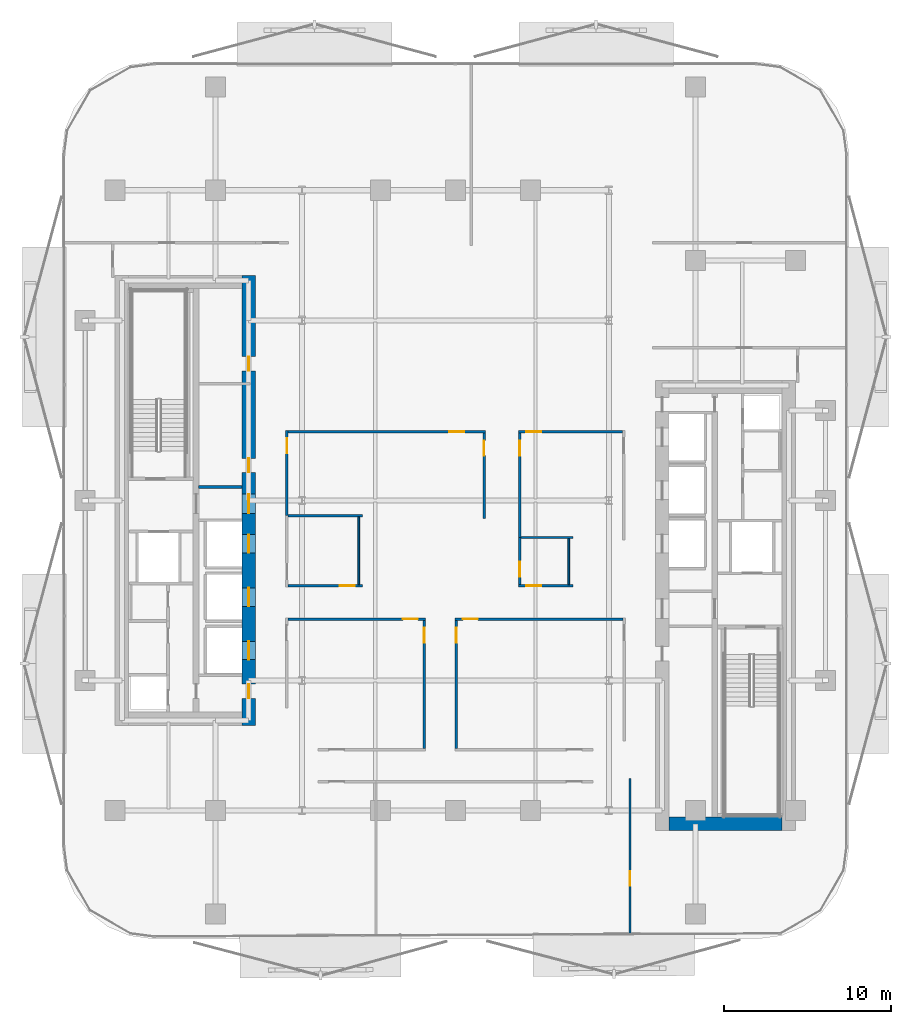
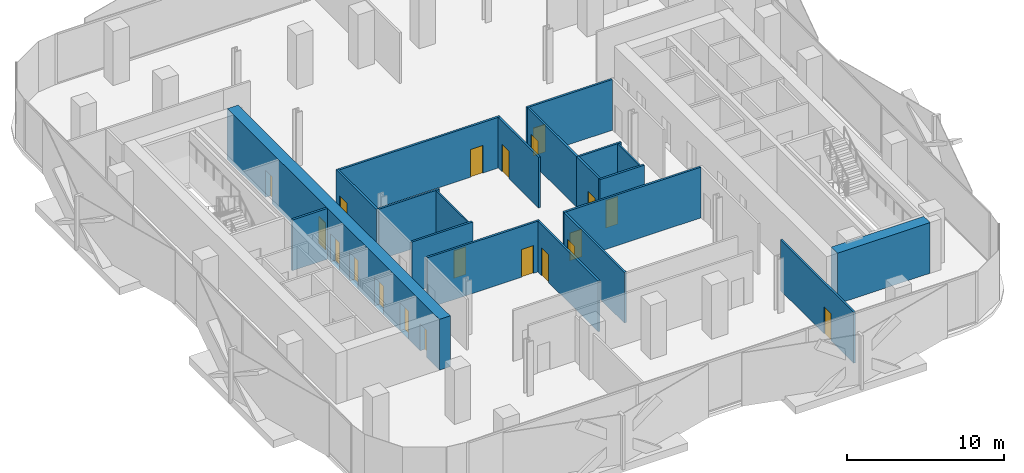
# One storey, part 4 of 15: 20 doors, 20 walls, 20 openings.
"""IFC4 building model written with IfcOpenShell, lengths in metres."""

import ifcopenshell
import ifcopenshell.guid

model = None  # the IFC model being written
_history = None  # IfcOwnerHistory: only IFC2X3 demands one
_inside = {}  # id of a spatial element -> (the spatial element, [elements in it])
_under = {}  # id of a project, library or spatial element -> (it, [spatial elements below it])
_declared = {}  # id of a project -> (the project, [libraries it declares])
_typed = {}  # id of a type object -> (the type object, [elements of that type])
_made_of = {}  # id of a material, layer set ... -> (it, [elements and type objects made of it])


def new_model(schema):
    """Start an empty IFC model of exactly this schema.

    Asked for "IFC4X3", IfcOpenShell would pick the latest addendum, in which some entities
    have other attributes; the version numbers below select the first issue.
    IFC2X3 requires an IfcOwnerHistory on every rooted entity: one is made here for all.
    """
    global model, _history
    if schema == "IFC4X3":
        model = ifcopenshell.file(schema_version=(4, 3, 0, 0))
    else:
        model = ifcopenshell.file(schema=schema)
    _inside.clear()
    _under.clear()
    _declared.clear()
    _typed.clear()
    _made_of.clear()
    _history = None
    if model.schema == "IFC2X3":
        org = make("IfcOrganization", Name="unknown")
        user = make(
            "IfcPersonAndOrganization",
            ThePerson=make("IfcPerson", FamilyName="unknown"),
            TheOrganization=org,
        )
        app = make(
            "IfcApplication",
            ApplicationDeveloper=org,
            Version="unknown",
            ApplicationFullName="unknown",
            ApplicationIdentifier="unknown",
        )
        _history = make(
            "IfcOwnerHistory",
            OwningUser=user,
            OwningApplication=app,
            ChangeAction="ADDED",
            CreationDate=0,
        )
    return model


def make(cls, **values):
    """One entity of the class cls with the attributes given. An attribute that is None is left unset."""
    return model.create_entity(
        cls, **{name: value for name, value in values.items() if value is not None}
    )


def rooted(cls, **values):
    """An entity with a GlobalId (a new one), such as an element, a storey or a relation."""
    return make(cls, GlobalId=ifcopenshell.guid.new(), OwnerHistory=_history, **values)


def si_unit(unit_type, name, prefix=None):
    """IfcSIUnit, for example si_unit("LENGTHUNIT", "METRE", prefix="MILLI")."""
    return make("IfcSIUnit", UnitType=unit_type, Prefix=prefix, Name=name)


def assignment(units):
    """IfcUnitAssignment: the units of a project."""
    return None if units is None else make("IfcUnitAssignment", Units=units)


def point(xyz):
    """IfcCartesianPoint."""
    return None if xyz is None else make("IfcCartesianPoint", Coordinates=xyz)


def direction(xyz):
    """IfcDirection."""
    return None if xyz is None else make("IfcDirection", DirectionRatios=xyz)


def frame(location, z_axis=None, x_axis=None):
    """IfcAxis2Placement3D, a coordinate frame: its origin and axes. An axis left out is left unset."""
    return make(
        "IfcAxis2Placement3D",
        Location=point(location),
        Axis=direction(z_axis),
        RefDirection=direction(x_axis),
    )


def frame_2d(location, x_axis=None):
    """IfcAxis2Placement2D, a coordinate frame in the plane: its origin and x axis."""
    return make(
        "IfcAxis2Placement2D", Location=point(location), RefDirection=direction(x_axis)
    )


def origin():
    """The frame at (0, 0, 0) with its axes left unset."""
    return frame((0.0, 0.0, 0.0))


def place(relative_to, where):
    """IfcLocalPlacement: puts the frame where relative to a parent placement (None: the world)."""
    return make(
        "IfcLocalPlacement", PlacementRelTo=relative_to, RelativePlacement=where
    )


def context(
    kind, dimensions, precision=None, world=None, true_north=None, identifier=None
):
    """IfcGeometricRepresentationContext, for example the 3D "Model" context."""
    return make(
        "IfcGeometricRepresentationContext",
        ContextIdentifier=identifier,
        ContextType=kind,
        CoordinateSpaceDimension=dimensions,
        Precision=precision,
        WorldCoordinateSystem=world,
        TrueNorth=true_north,
    )


def subcontext(parent, identifier, kind, view, scale=None):
    """IfcGeometricRepresentationSubContext, for example "Body" below "Model"."""
    return make(
        "IfcGeometricRepresentationSubContext",
        ContextIdentifier=identifier,
        ContextType=kind,
        ParentContext=parent,
        TargetScale=scale,
        TargetView=view,
    )


def project(units=None, contexts=None):
    """IfcProject with its units and contexts."""
    return rooted(
        "IfcProject",
        Name="project",
        RepresentationContexts=contexts,
        UnitsInContext=assignment(units),
    )


def spatial(cls, under=None, at=None, **own):
    """A site, building, storey or space (cls), placed at a placement, below another one or the project."""
    s = rooted(cls, ObjectPlacement=at, **own)
    if under is not None:
        _under.setdefault(under.id(), (under, []))[1].append(s)
    return s


def profile(cls, at=None, kind="AREA", **sizes):
    """A parametric profile (cls). Its sizes go by their IFC names, for example OverallWidth=200.0."""
    return make(cls, ProfileType=kind, Position=at, **sizes)


def rectangle(**sizes):
    """IfcRectangleProfileDef."""
    return profile("IfcRectangleProfileDef", **sizes)


def extrude(swept, where, along, depth):
    """IfcExtrudedAreaSolid: the profile swept, set in the frame where, extruded along a direction by depth."""
    return make(
        "IfcExtrudedAreaSolid",
        SweptArea=swept,
        Position=where,
        ExtrudedDirection=direction(along),
        Depth=depth,
    )


def shape(context_of_items, identifier, shape_type, items):
    """IfcShapeRepresentation: the items that make up one representation, for example the "Body"."""
    return make(
        "IfcShapeRepresentation",
        ContextOfItems=context_of_items,
        RepresentationIdentifier=identifier,
        RepresentationType=shape_type,
        Items=items,
    )


def material(Name=None, Category=None):
    """IfcMaterial."""
    return make("IfcMaterial", Name=Name, Category=Category)


def layer(
    of_material, thickness, ventilated=None, Name=None, Category=None, Priority=None
):
    """IfcMaterialLayer: one layer of a wall or slab, of a material (None: an air gap)."""
    return make(
        "IfcMaterialLayer",
        Material=of_material,
        LayerThickness=thickness,
        IsVentilated=ventilated,
        Name=Name,
        Category=Category,
        Priority=Priority,
    )


def layer_set(layers, Name=None):
    """IfcMaterialLayerSet."""
    return make("IfcMaterialLayerSet", MaterialLayers=layers, LayerSetName=Name)


def made_of(thing, what):
    """Note that an element or type object is made of a material, layer set ...; save() writes the relation."""
    if what is not None:
        _made_of.setdefault(what.id(), (what, []))[1].append(thing)
    return thing


def type_object(cls, material=None, **own):
    """A type object (cls), such as IfcWallType, which elements share."""
    return made_of(rooted(cls, **own), material)


def element(
    cls,
    number,
    at=None,
    inside=None,
    cuts=None,
    type_object=None,
    material=None,
    context=None,
    identifier="Body",
    shape_type=None,
    held_by="IfcProductDefinitionShape",
    body=None,
    shapes=None,
    **own,
):
    """One element of the class cls, such as IfcWall. Its Tag is "e" and its number.

    at: its placement. inside: the storey or other place that contains it. cuts: it is an
    opening in that element (IfcRelVoidsElement). A single representation is given by context,
    identifier, shape_type and body (its items); several are given by shapes. held_by: the class
    of the entity that holds the representations. save() writes the other relations.
    """
    e = rooted(cls, Tag="e%d" % number, ObjectPlacement=at, **own)
    if body is not None:
        shapes = [shape(context, identifier, shape_type, body)]
    if shapes is not None:
        e.Representation = make(held_by, Representations=shapes)
    if inside is not None:
        _inside.setdefault(inside.id(), (inside, []))[1].append(e)
    if cuts is not None:
        rooted(
            "IfcRelVoidsElement", RelatingBuildingElement=cuts, RelatedOpeningElement=e
        )
    if type_object is not None:
        _typed.setdefault(type_object.id(), (type_object, []))[1].append(e)
    return made_of(e, material)


def fill(opening, filler):
    """IfcRelFillsElement: the door or window that sits in an opening."""
    return rooted(
        "IfcRelFillsElement",
        RelatingOpeningElement=opening,
        RelatedBuildingElement=filler,
    )


def aggregate(whole, parts):
    """IfcRelAggregates: a whole, such as a stair, and the parts it consists of."""
    return rooted("IfcRelAggregates", RelatingObject=whole, RelatedObjects=parts)


def save(model, path):
    """Write the relations noted so far, then the file.

    IfcRelAggregates (storeys below a building ...), IfcRelContainedInSpatialStructure (elements
    in a storey), IfcRelDefinesByType, IfcRelAssociatesMaterial and IfcRelDeclares: one each for
    every whole, place, type object, material and project.
    """
    for whole, parts in _under.values():
        aggregate(whole, parts)
    for where, things in _inside.values():
        rooted(
            "IfcRelContainedInSpatialStructure",
            RelatedElements=things,
            RelatingStructure=where,
        )
    for kind, things in _typed.values():
        rooted("IfcRelDefinesByType", RelatedObjects=things, RelatingType=kind)
    for what, things in _made_of.values():
        rooted("IfcRelAssociatesMaterial", RelatedObjects=things, RelatingMaterial=what)
    for by, libraries in _declared.values():
        rooted("IfcRelDeclares", RelatingContext=by, RelatedDefinitions=libraries)
    model.write(path)


model = new_model("IFC4")

# Units and contexts
model_context = context("Model", 3, precision=1e-05, world=origin(), true_north=direction((0.0, 1.0)))
body_context = subcontext(model_context, "Body", "Model", "MODEL_VIEW")
ifc_project = project(units=[si_unit("LENGTHUNIT", "METRE"), si_unit("AREAUNIT", "SQUARE_METRE"), si_unit("VOLUMEUNIT", "CUBIC_METRE"), si_unit("PLANEANGLEUNIT", "RADIAN"), si_unit("MASSUNIT", "GRAM", prefix="KILO")], contexts=[model_context])

# Site, building, storey
site_placement = place(None, origin())
site = spatial("IfcSite", under=ifc_project, at=site_placement, CompositionType="ELEMENT")
building_placement = place(site_placement, origin())
building = spatial("IfcBuilding", under=site, at=building_placement, Name="Khairoan Windgate Tower", CompositionType="ELEMENT")
storey_placement = place(building_placement, frame((0.0, 0.0, 110.0)))
storey = spatial("IfcBuildingStorey", under=building, at=storey_placement, Name="L25", CompositionType="ELEMENT", Elevation=110.0)

# Walls
ifc_material_1 = material(Name="Moisture-Resistant Gypsum Partition", Category="gypsum")
ifc_layer_1 = layer(ifc_material_1, 0.10009765625, Name="Moisture-Resistant Gypsum Partition")
ifc_layer_set_1 = layer_set([ifc_layer_1], Name="Moisture-Resistant Gypsum Partition")
wall_type_1 = type_object("IfcWallType", Name="Bathroom Wet-Area Partition Wall", PredefinedType="PARTITIONING", material=ifc_layer_set_1)
wall_1_placement = place(storey_placement, frame((6.800048828125, -2.2900390625, 0.0), z_axis=(0.0, 0.0, 1.0), x_axis=(0.0, -1.0, 0.0)))
element("IfcWall", 1, at=wall_1_placement, inside=storey, type_object=wall_type_1, Name="L25 Wet Room Side Wall 047", PredefinedType="PARTITIONING", context=body_context, shape_type="SweptSolid", body=[
    extrude(rectangle(XDim=2.7548828125, YDim=0.10009765625, at=frame_2d((1.37744140625, 0.0))), origin(), (0.0, 0.0, 1.0), 3.93994140625),
])
wall_2_placement = place(storey_placement, frame((-5.800048828125, -0.989990234375, 0.0), z_axis=(0.0, 0.0, 1.0), x_axis=(0.0, -1.0, 0.0)))
element("IfcWall", 2, at=wall_2_placement, inside=storey, type_object=wall_type_1, Name="L25 Wet Room Side Wall 048", PredefinedType="PARTITIONING", context=body_context, shape_type="SweptSolid", body=[
    extrude(rectangle(XDim=4.054931640625, YDim=0.10009765625, at=frame_2d((2.02734375, 0.0))), origin(), (0.0, 0.0, 1.0), 3.93994140625),
])
ifc_material_2 = material(Name="Concrete C40/50", Category="concrete")
ifc_layer_2 = layer(ifc_material_2, 0.159912109375, Name="Concrete C40/50")
ifc_layer_set_2 = layer_set([ifc_layer_2], Name="Concrete C40/50")
wall_type_2 = type_object("IfcWallType", Name="Core and Hoistway Enclosure Wall", PredefinedType="STANDARD", material=ifc_layer_set_2)
wall_3_placement = place(storey_placement, frame((-15.39990234375, 0.800048828125, 0.0), z_axis=(0.0, 0.0, 1.0), x_axis=(1.0, 0.0, 0.0)))
element("IfcWall", 3, at=wall_3_placement, inside=storey, type_object=wall_type_2, Name="L25 Core Shaft Wall SW-WV1-L25", PredefinedType="STANDARD", context=body_context, shape_type="SweptSolid", body=[
    extrude(rectangle(XDim=2.599853515625, YDim=0.159912109375, at=frame_2d((1.2998046875, 0.0))), origin(), (0.0, 0.0, 1.0), 3.93994140625),
])

# Wall, opening, door
ifc_material_3 = material(Name="Acoustic Fire-Rated Gypsum Partition", Category="gypsum")
ifc_layer_3 = layer(ifc_material_3, 0.139892578125, Name="Acoustic Fire-Rated Gypsum Partition")
ifc_layer_set_3 = layer_set([ifc_layer_3], Name="Acoustic Fire-Rated Gypsum Partition")
wall_type_3 = type_object("IfcWallType", Name="Inter-Tenancy Compartment Wall", PredefinedType="PARTITIONING", material=ifc_layer_set_3)
wall_4_placement = place(storey_placement, frame((10.471923828125, -26.015380859375, 0.0), z_axis=(0.0, 0.0, 1.0), x_axis=(0.0, 1.0, 0.0)))
wall_4 = element("IfcWall", 4, at=wall_4_placement, inside=storey, type_object=wall_type_3, Name="L25 Interior Partition 042", PredefinedType="PARTITIONING", context=body_context, shape_type="SweptSolid", body=[
    extrude(rectangle(XDim=9.33544921875, YDim=0.139892578125, at=frame_2d((4.667724609375, 0.0))), origin(), (0.0, 0.0, 1.0), 3.93994140625),
])
opening_1_placement = place(wall_4_placement, frame((2.91357421875, 0.0, 0.0)))
opening_1 = element("IfcOpeningElement", 5, at=opening_1_placement, cuts=wall_4, Name="Opening FD-SRV", PredefinedType="OPENING", context=body_context, shape_type="SweptSolid", body=[
    extrude(rectangle(XDim=0.85009765625, YDim=2.10009765625, at=frame_2d((0.425048828125, 1.050048828125))), frame((0.0, 0.079833984375, 0.0), z_axis=(0.0, -1.0, 0.0), x_axis=(1.0, 0.0, 0.0)), (0.0, 0.0, 1.0), 0.159912109375),
])
ifc_material_4 = material(Name="Steel S355", Category="steel")
door_type_1 = type_object("IfcDoorType", Name="Core Service and Riser Fire Door FD-SRV 850x2100", OperationType="NOTDEFINED", PredefinedType="DOOR", material=ifc_material_4)
door_1_placement = place(opening_1_placement, origin())
door_1 = element("IfcDoor", 6, at=door_1_placement, inside=storey, type_object=door_type_1, Name="L25 L25-43-L25-44 Door", OperationType="SINGLE_SWING_RIGHT", OverallHeight=2.10009765625, OverallWidth=0.85009765625, PredefinedType="DOOR", context=body_context, shape_type="SweptSolid", body=[
    extrude(rectangle(XDim=0.85009765625, YDim=2.10009765625, at=frame_2d((0.425048828125, 1.050048828125))), frame((0.0, 0.02490234375, 0.0), z_axis=(0.0, -1.0, 0.0), x_axis=(1.0, 0.0, 0.0)), (0.0, 0.0, 1.0), 0.050048828125),
])
fill(opening_1, door_1)

# Walls
wall_5_placement = place(storey_placement, frame((3.929931640625, -2.219970703125, 0.0), z_axis=(0.0, 0.0, 1.0), x_axis=(1.0, 0.0, 0.0)))
element("IfcWall", 7, at=wall_5_placement, inside=storey, type_object=wall_type_3, Name="L25 Interior Partition 043", PredefinedType="PARTITIONING", context=body_context, shape_type="SweptSolid", body=[
    extrude(rectangle(XDim=3.110107421875, YDim=0.139892578125, at=frame_2d((1.55517578125, 0.0))), origin(), (0.0, 0.0, 1.0), 3.93994140625),
])
wall_6_placement = place(storey_placement, frame((-10.02490234375, -0.919921875, 0.0), z_axis=(0.0, 0.0, 1.0), x_axis=(1.0, 0.0, 0.0)))
element("IfcWall", 8, at=wall_6_placement, inside=storey, type_object=wall_type_3, Name="L25 Interior Partition 044", PredefinedType="PARTITIONING", context=body_context, shape_type="SweptSolid", body=[
    extrude(rectangle(XDim=4.46484375, YDim=0.139892578125, at=frame_2d((2.232421875, 0.0))), origin(), (0.0, 0.0, 1.0), 3.93994140625),
])

# Wall, opening, door
ifc_material_5 = material(Name="Acoustic Fire-Rated Gypsum Partition", Category="gypsum")
ifc_layer_4 = layer(ifc_material_5, 0.14990234375, Name="Acoustic Fire-Rated Gypsum Partition")
ifc_layer_set_4 = layer_set([ifc_layer_4], Name="Acoustic Fire-Rated Gypsum Partition")
wall_type_4 = type_object("IfcWallType", Name="Rated Corridor Partition Wall", PredefinedType="PARTITIONING", material=ifc_layer_set_4)
wall_7_placement = place(storey_placement, frame((-10.10009765625, -0.919921875, 0.0), z_axis=(0.0, 0.0, 1.0), x_axis=(0.0, 1.0, 0.0)))
wall_7 = element("IfcWall", 9, at=wall_7_placement, inside=storey, type_object=wall_type_4, Name="L25 Interior Partition 014", PredefinedType="PARTITIONING", context=body_context, shape_type="SweptSolid", body=[
    extrude(rectangle(XDim=5.114990234375, YDim=0.14990234375, at=frame_2d((2.5576171875, 0.0))), origin(), (0.0, 0.0, 1.0), 3.93994140625),
])
opening_2_placement = place(wall_7_placement, frame((3.7548828125, 0.0, 0.0)))
opening_2 = element("IfcOpeningElement", 10, at=opening_2_placement, cuts=wall_7, Name="Opening FD-ENT", PredefinedType="OPENING", context=body_context, shape_type="SweptSolid", body=[
    extrude(rectangle(XDim=0.89990234375, YDim=2.14990234375, at=frame_2d((0.449951171875, 1.074951171875))), frame((0.0, 0.0849609375, 0.0), z_axis=(0.0, -1.0, 0.0), x_axis=(1.0, 0.0, 0.0)), (0.0, 0.0, 1.0), 0.169921875),
])
ifc_material_6 = material(Name="Timber Fire-Rated Core", Category="wood")
door_type_2 = type_object("IfcDoorType", Name="Unit and Office Fire Entrance Door FD-ENT 900x2150", OperationType="NOTDEFINED", PredefinedType="DOOR", material=ifc_material_6)
door_2_placement = place(opening_2_placement, origin())
door_2 = element("IfcDoor", 11, at=door_2_placement, inside=storey, type_object=door_type_2, Name="L25 L25-28-L25-48 Door", OperationType="SINGLE_SWING_RIGHT", OverallHeight=2.14990234375, OverallWidth=0.89990234375, PredefinedType="DOOR", context=body_context, shape_type="SweptSolid", body=[
    extrude(rectangle(XDim=0.89990234375, YDim=2.14990234375, at=frame_2d((0.449951171875, 1.074951171875))), frame((0.0, 0.02490234375, 0.0), z_axis=(0.0, -1.0, 0.0), x_axis=(1.0, 0.0, 0.0)), (0.0, 0.0, 1.0), 0.050048828125),
])
fill(opening_2, door_2)

wall_8_placement = place(storey_placement, frame((3.780029296875, 4.1201171875, 0.0), z_axis=(0.0, 0.0, 1.0), x_axis=(1.0, 0.0, 0.0)))
wall_8 = element("IfcWall", 12, at=wall_8_placement, inside=storey, type_object=wall_type_4, Name="L25 Interior Partition 018", PredefinedType="PARTITIONING", context=body_context, shape_type="SweptSolid", body=[
    extrude(rectangle(XDim=6.244873046875, YDim=0.14990234375, at=frame_2d((3.12255859375, 0.0))), origin(), (0.0, 0.0, 1.0), 3.93994140625),
])
opening_3_placement = place(wall_8_placement, frame((0.4599609375, 0.0, 0.0)))
opening_3 = element("IfcOpeningElement", 13, at=opening_3_placement, cuts=wall_8, Name="Opening FD-ENT", PredefinedType="OPENING", context=body_context, shape_type="SweptSolid", body=[
    extrude(rectangle(XDim=0.89990234375, YDim=2.14990234375, at=frame_2d((0.449951171875, 1.074951171875))), frame((0.0, 0.0849609375, 0.0), z_axis=(0.0, -1.0, 0.0), x_axis=(1.0, 0.0, 0.0)), (0.0, 0.0, 1.0), 0.169921875),
])
door_3_placement = place(opening_3_placement, origin())
door_3 = element("IfcDoor", 14, at=door_3_placement, inside=storey, type_object=door_type_2, Name="L25 L25-30-L25-46 Door", OperationType="SINGLE_SWING_RIGHT", OverallHeight=2.14990234375, OverallWidth=0.89990234375, PredefinedType="DOOR", context=body_context, shape_type="SweptSolid", body=[
    extrude(rectangle(XDim=0.89990234375, YDim=2.14990234375, at=frame_2d((0.449951171875, 1.074951171875))), frame((0.0, 0.02490234375, 0.0), z_axis=(0.0, -1.0, 0.0), x_axis=(1.0, 0.0, 0.0)), (0.0, 0.0, 1.0), 0.050048828125),
])
fill(opening_3, door_3)

wall_9_placement = place(storey_placement, frame((-10.02490234375, 4.1201171875, 0.0), z_axis=(0.0, 0.0, 1.0), x_axis=(1.0, 0.0, 0.0)))
wall_9 = element("IfcWall", 15, at=wall_9_placement, inside=storey, type_object=wall_type_4, Name="L25 Interior Partition 019", PredefinedType="PARTITIONING", context=body_context, shape_type="SweptSolid", body=[
    extrude(rectangle(XDim=11.81982421875, YDim=0.14990234375, at=frame_2d((5.909912109375, 0.0))), origin(), (0.0, 0.0, 1.0), 3.93994140625),
])
opening_4_placement = place(wall_9_placement, frame((9.643798828125, 0.0, 0.0)))
opening_4 = element("IfcOpeningElement", 16, at=opening_4_placement, cuts=wall_9, Name="Opening FD-ENT", PredefinedType="OPENING", context=body_context, shape_type="SweptSolid", body=[
    extrude(rectangle(XDim=0.89990234375, YDim=2.14990234375, at=frame_2d((0.449951171875, 1.074951171875))), frame((0.0, 0.0849609375, 0.0), z_axis=(0.0, -1.0, 0.0), x_axis=(1.0, 0.0, 0.0)), (0.0, 0.0, 1.0), 0.169921875),
])
door_4_placement = place(opening_4_placement, origin())
door_4 = element("IfcDoor", 17, at=door_4_placement, inside=storey, type_object=door_type_2, Name="L25 L25-30-L25-48 Door", OperationType="SINGLE_SWING_LEFT", OverallHeight=2.14990234375, OverallWidth=0.89990234375, PredefinedType="DOOR", context=body_context, shape_type="SweptSolid", body=[
    extrude(rectangle(XDim=0.89990234375, YDim=2.14990234375, at=frame_2d((0.449951171875, 1.074951171875))), frame((0.0, 0.02490234375, 0.0), z_axis=(0.0, -1.0, 0.0), x_axis=(1.0, 0.0, 0.0)), (0.0, 0.0, 1.0), 0.050048828125),
])
fill(opening_4, door_4)

wall_10_placement = place(storey_placement, frame((3.780029296875, -5.1201171875, 0.0), z_axis=(0.0, 0.0, 1.0), x_axis=(1.0, 0.0, 0.0)))
wall_10 = element("IfcWall", 18, at=wall_10_placement, inside=storey, type_object=wall_type_4, Name="L25 Interior Partition 020", PredefinedType="PARTITIONING", context=body_context, shape_type="SweptSolid", body=[
    extrude(rectangle(XDim=3.260009765625, YDim=0.14990234375, at=frame_2d((1.6298828125, 0.0))), origin(), (0.0, 0.0, 1.0), 3.93994140625),
])
opening_5_placement = place(wall_10_placement, frame((0.4599609375, 0.0, 0.0)))
opening_5 = element("IfcOpeningElement", 19, at=opening_5_placement, cuts=wall_10, Name="Opening FD-ENT", PredefinedType="OPENING", context=body_context, shape_type="SweptSolid", body=[
    extrude(rectangle(XDim=0.89990234375, YDim=2.14990234375, at=frame_2d((0.449951171875, 1.074951171875))), frame((0.0, 0.0849609375, 0.0), z_axis=(0.0, -1.0, 0.0), x_axis=(1.0, 0.0, 0.0)), (0.0, 0.0, 1.0), 0.169921875),
])
door_5_placement = place(opening_5_placement, origin())
door_5 = element("IfcDoor", 20, at=door_5_placement, inside=storey, type_object=door_type_2, Name="L25 L25-31-L25-45 Door", OperationType="SINGLE_SWING_RIGHT", OverallHeight=2.14990234375, OverallWidth=0.89990234375, PredefinedType="DOOR", context=body_context, shape_type="SweptSolid", body=[
    extrude(rectangle(XDim=0.89990234375, YDim=2.14990234375, at=frame_2d((0.449951171875, 1.074951171875))), frame((0.0, 0.02490234375, 0.0), z_axis=(0.0, -1.0, 0.0), x_axis=(1.0, 0.0, 0.0)), (0.0, 0.0, 1.0), 0.050048828125),
])
fill(opening_5, door_5)

wall_11_placement = place(storey_placement, frame((-10.02490234375, -5.1201171875, 0.0), z_axis=(0.0, 0.0, 1.0), x_axis=(1.0, 0.0, 0.0)))
wall_11 = element("IfcWall", 21, at=wall_11_placement, inside=storey, type_object=wall_type_4, Name="L25 Interior Partition 021", PredefinedType="PARTITIONING", context=body_context, shape_type="SweptSolid", body=[
    extrude(rectangle(XDim=4.46484375, YDim=0.14990234375, at=frame_2d((2.232421875, 0.0))), origin(), (0.0, 0.0, 1.0), 3.93994140625),
])
opening_6_placement = place(wall_11_placement, frame((3.10498046875, 0.0, 0.0)))
opening_6 = element("IfcOpeningElement", 22, at=opening_6_placement, cuts=wall_11, Name="Opening FD-ENT", PredefinedType="OPENING", context=body_context, shape_type="SweptSolid", body=[
    extrude(rectangle(XDim=0.89990234375, YDim=2.14990234375, at=frame_2d((0.449951171875, 1.074951171875))), frame((0.0, 0.0849609375, 0.0), z_axis=(0.0, -1.0, 0.0), x_axis=(1.0, 0.0, 0.0)), (0.0, 0.0, 1.0), 0.169921875),
])
door_6_placement = place(opening_6_placement, origin())
door_6 = element("IfcDoor", 23, at=door_6_placement, inside=storey, type_object=door_type_2, Name="L25 L25-31-L25-47 Door", OperationType="SINGLE_SWING_LEFT", OverallHeight=2.14990234375, OverallWidth=0.89990234375, PredefinedType="DOOR", context=body_context, shape_type="SweptSolid", body=[
    extrude(rectangle(XDim=0.89990234375, YDim=2.14990234375, at=frame_2d((0.449951171875, 1.074951171875))), frame((0.0, 0.02490234375, 0.0), z_axis=(0.0, -1.0, 0.0), x_axis=(1.0, 0.0, 0.0)), (0.0, 0.0, 1.0), 0.050048828125),
])
fill(opening_6, door_6)

wall_12_placement = place(storey_placement, frame((-10.050048828125, -7.114990234375, 0.0), z_axis=(0.0, 0.0, 1.0), x_axis=(1.0, 0.0, 0.0)))
wall_12 = element("IfcWall", 24, at=wall_12_placement, inside=storey, type_object=wall_type_4, Name="L25 Interior Partition 022", PredefinedType="PARTITIONING", context=body_context, shape_type="SweptSolid", body=[
    extrude(rectangle(XDim=8.26513671875, YDim=0.14990234375, at=frame_2d((4.132568359375, 0.0))), origin(), (0.0, 0.0, 1.0), 3.93994140625),
])
opening_7_placement = place(wall_12_placement, frame((6.905029296875, 0.0, 0.0)))
opening_7 = element("IfcOpeningElement", 25, at=opening_7_placement, cuts=wall_12, Name="Opening FD-ENT", PredefinedType="OPENING", context=body_context, shape_type="SweptSolid", body=[
    extrude(rectangle(XDim=0.89990234375, YDim=2.14990234375, at=frame_2d((0.449951171875, 1.074951171875))), frame((0.0, 0.0849609375, 0.0), z_axis=(0.0, -1.0, 0.0), x_axis=(1.0, 0.0, 0.0)), (0.0, 0.0, 1.0), 0.169921875),
])
door_7_placement = place(opening_7_placement, origin())
door_7 = element("IfcDoor", 26, at=door_7_placement, inside=storey, type_object=door_type_2, Name="L25 L25-31-L25-49 Door", OperationType="SINGLE_SWING_RIGHT", OverallHeight=2.14990234375, OverallWidth=0.89990234375, PredefinedType="DOOR", context=body_context, shape_type="SweptSolid", body=[
    extrude(rectangle(XDim=0.89990234375, YDim=2.14990234375, at=frame_2d((0.449951171875, 1.074951171875))), frame((0.0, 0.02490234375, 0.0), z_axis=(0.0, -1.0, 0.0), x_axis=(1.0, 0.0, 0.0)), (0.0, 0.0, 1.0), 0.050048828125),
])
fill(opening_7, door_7)

wall_13_placement = place(storey_placement, frame((-0.014892578125, -7.114990234375, 0.0), z_axis=(0.0, 0.0, 1.0), x_axis=(1.0, 0.0, 0.0)))
wall_13 = element("IfcWall", 27, at=wall_13_placement, inside=storey, type_object=wall_type_4, Name="L25 Interior Partition 023", PredefinedType="PARTITIONING", context=body_context, shape_type="SweptSolid", body=[
    extrude(rectangle(XDim=10.06494140625, YDim=0.14990234375, at=frame_2d((5.032470703125, 0.0))), origin(), (0.0, 0.0, 1.0), 3.93994140625),
])
opening_8_placement = place(wall_13_placement, frame((0.4599609375, 0.0, 0.0)))
opening_8 = element("IfcOpeningElement", 28, at=opening_8_placement, cuts=wall_13, Name="Opening FD-ENT", PredefinedType="OPENING", context=body_context, shape_type="SweptSolid", body=[
    extrude(rectangle(XDim=0.89990234375, YDim=2.14990234375, at=frame_2d((0.449951171875, 1.074951171875))), frame((0.0, 0.0849609375, 0.0), z_axis=(0.0, -1.0, 0.0), x_axis=(1.0, 0.0, 0.0)), (0.0, 0.0, 1.0), 0.169921875),
])
door_8_placement = place(opening_8_placement, origin())
door_8 = element("IfcDoor", 29, at=door_8_placement, inside=storey, type_object=door_type_2, Name="L25 L25-31-L25-50 Door", OperationType="SINGLE_SWING_LEFT", OverallHeight=2.14990234375, OverallWidth=0.89990234375, PredefinedType="DOOR", context=body_context, shape_type="SweptSolid", body=[
    extrude(rectangle(XDim=0.89990234375, YDim=2.14990234375, at=frame_2d((0.449951171875, 1.074951171875))), frame((0.0, 0.02490234375, 0.0), z_axis=(0.0, -1.0, 0.0), x_axis=(1.0, 0.0, 0.0)), (0.0, 0.0, 1.0), 0.050048828125),
])
fill(opening_8, door_8)

wall_14_placement = place(storey_placement, frame((3.85498046875, -5.044921875, 0.0), z_axis=(0.0, 0.0, 1.0), x_axis=(0.0, 1.0, 0.0)))
wall_14 = element("IfcWall", 30, at=wall_14_placement, inside=storey, type_object=wall_type_4, Name="L25 Interior Partition 024", PredefinedType="PARTITIONING", context=body_context, shape_type="SweptSolid", body=[
    extrude(rectangle(XDim=2.824951171875, YDim=0.14990234375, at=frame_2d((1.41259765625, 0.0))), origin(), (0.0, 0.0, 1.0), 3.93994140625),
])
opening_9_placement = place(wall_14_placement, frame((0.4599609375, 0.0, 0.0)))
opening_9 = element("IfcOpeningElement", 31, at=opening_9_placement, cuts=wall_14, Name="Opening FD-ENT", PredefinedType="OPENING", context=body_context, shape_type="SweptSolid", body=[
    extrude(rectangle(XDim=0.89990234375, YDim=2.14990234375, at=frame_2d((0.449951171875, 1.074951171875))), frame((0.0, 0.0849609375, 0.0), z_axis=(0.0, -1.0, 0.0), x_axis=(1.0, 0.0, 0.0)), (0.0, 0.0, 1.0), 0.169921875),
])
door_9_placement = place(opening_9_placement, origin())
door_9 = element("IfcDoor", 32, at=door_9_placement, inside=storey, type_object=door_type_2, Name="L25 L25-32-L25-45 Door", OperationType="SINGLE_SWING_RIGHT", OverallHeight=2.14990234375, OverallWidth=0.89990234375, PredefinedType="DOOR", context=body_context, shape_type="SweptSolid", body=[
    extrude(rectangle(XDim=0.89990234375, YDim=2.14990234375, at=frame_2d((0.449951171875, 1.074951171875))), frame((0.0, 0.02490234375, 0.0), z_axis=(0.0, -1.0, 0.0), x_axis=(1.0, 0.0, 0.0)), (0.0, 0.0, 1.0), 0.050048828125),
])
fill(opening_9, door_9)

wall_15_placement = place(storey_placement, frame((3.85498046875, -2.219970703125, 0.0), z_axis=(0.0, 0.0, 1.0), x_axis=(0.0, 1.0, 0.0)))
wall_15 = element("IfcWall", 33, at=wall_15_placement, inside=storey, type_object=wall_type_4, Name="L25 Interior Partition 025", PredefinedType="PARTITIONING", context=body_context, shape_type="SweptSolid", body=[
    extrude(rectangle(XDim=6.264892578125, YDim=0.14990234375, at=frame_2d((3.13232421875, 0.0))), origin(), (0.0, 0.0, 1.0), 3.93994140625),
])
opening_10_placement = place(wall_15_placement, frame((4.905029296875, 0.0, 0.0)))
opening_10 = element("IfcOpeningElement", 34, at=opening_10_placement, cuts=wall_15, Name="Opening FD-ENT", PredefinedType="OPENING", context=body_context, shape_type="SweptSolid", body=[
    extrude(rectangle(XDim=0.89990234375, YDim=2.14990234375, at=frame_2d((0.449951171875, 1.074951171875))), frame((0.0, 0.0849609375, 0.0), z_axis=(0.0, -1.0, 0.0), x_axis=(1.0, 0.0, 0.0)), (0.0, 0.0, 1.0), 0.169921875),
])
door_10_placement = place(opening_10_placement, origin())
door_10 = element("IfcDoor", 35, at=door_10_placement, inside=storey, type_object=door_type_2, Name="L25 L25-32-L25-46 Door", OperationType="SINGLE_SWING_LEFT", OverallHeight=2.14990234375, OverallWidth=0.89990234375, PredefinedType="DOOR", context=body_context, shape_type="SweptSolid", body=[
    extrude(rectangle(XDim=0.89990234375, YDim=2.14990234375, at=frame_2d((0.449951171875, 1.074951171875))), frame((0.0, 0.02490234375, 0.0), z_axis=(0.0, -1.0, 0.0), x_axis=(1.0, 0.0, 0.0)), (0.0, 0.0, 1.0), 0.050048828125),
])
fill(opening_10, door_10)

wall_16_placement = place(storey_placement, frame((1.719970703125, -1.080078125, 0.0), z_axis=(0.0, 0.0, 1.0), x_axis=(0.0, 1.0, 0.0)))
wall_16 = element("IfcWall", 36, at=wall_16_placement, inside=storey, type_object=wall_type_4, Name="L25 Interior Partition 026", PredefinedType="PARTITIONING", context=body_context, shape_type="SweptSolid", body=[
    extrude(rectangle(XDim=5.125, YDim=0.14990234375, at=frame_2d((2.5625, 0.0))), origin(), (0.0, 0.0, 1.0), 3.93994140625),
])
opening_11_placement = place(wall_16_placement, frame((3.764892578125, 0.0, 0.0)))
opening_11 = element("IfcOpeningElement", 37, at=opening_11_placement, cuts=wall_16, Name="Opening FD-ENT", PredefinedType="OPENING", context=body_context, shape_type="SweptSolid", body=[
    extrude(rectangle(XDim=0.89990234375, YDim=2.14990234375, at=frame_2d((0.449951171875, 1.074951171875))), frame((0.0, 0.0849609375, 0.0), z_axis=(0.0, -1.0, 0.0), x_axis=(1.0, 0.0, 0.0)), (0.0, 0.0, 1.0), 0.169921875),
])
door_11_placement = place(opening_11_placement, origin())
door_11 = element("IfcDoor", 38, at=door_11_placement, inside=storey, type_object=door_type_2, Name="L25 L25-32-L25-48 Door", OperationType="SINGLE_SWING_RIGHT", OverallHeight=2.14990234375, OverallWidth=0.89990234375, PredefinedType="DOOR", context=body_context, shape_type="SweptSolid", body=[
    extrude(rectangle(XDim=0.89990234375, YDim=2.14990234375, at=frame_2d((0.449951171875, 1.074951171875))), frame((0.0, 0.02490234375, 0.0), z_axis=(0.0, -1.0, 0.0), x_axis=(1.0, 0.0, 0.0)), (0.0, 0.0, 1.0), 0.050048828125),
])
fill(opening_11, door_11)

wall_17_placement = place(storey_placement, frame((-1.860107421875, -14.864990234375, 0.0), z_axis=(0.0, 0.0, 1.0), x_axis=(0.0, 1.0, 0.0)))
wall_17 = element("IfcWall", 39, at=wall_17_placement, inside=storey, type_object=wall_type_4, Name="L25 Interior Partition 035", PredefinedType="PARTITIONING", context=body_context, shape_type="SweptSolid", body=[
    extrude(rectangle(XDim=7.675048828125, YDim=0.14990234375, at=frame_2d((3.83740234375, 0.0))), origin(), (0.0, 0.0, 1.0), 3.93994140625),
])
opening_12_placement = place(wall_17_placement, frame((6.31494140625, 0.0, 0.0)))
opening_12 = element("IfcOpeningElement", 40, at=opening_12_placement, cuts=wall_17, Name="Opening FD-ENT", PredefinedType="OPENING", context=body_context, shape_type="SweptSolid", body=[
    extrude(rectangle(XDim=0.89990234375, YDim=2.14990234375, at=frame_2d((0.449951171875, 1.074951171875))), frame((0.0, 0.0849609375, 0.0), z_axis=(0.0, -1.0, 0.0), x_axis=(1.0, 0.0, 0.0)), (0.0, 0.0, 1.0), 0.169921875),
])
door_12_placement = place(opening_12_placement, origin())
door_12 = element("IfcDoor", 41, at=door_12_placement, inside=storey, type_object=door_type_2, Name="L25 L25-36-L25-49 Door", OperationType="SINGLE_SWING_LEFT", OverallHeight=2.14990234375, OverallWidth=0.89990234375, PredefinedType="DOOR", context=body_context, shape_type="SweptSolid", body=[
    extrude(rectangle(XDim=0.89990234375, YDim=2.14990234375, at=frame_2d((0.449951171875, 1.074951171875))), frame((0.0, 0.02490234375, 0.0), z_axis=(0.0, -1.0, 0.0), x_axis=(1.0, 0.0, 0.0)), (0.0, 0.0, 1.0), 0.050048828125),
])
fill(opening_12, door_12)

wall_18_placement = place(storey_placement, frame((0.06005859375, -14.864990234375, 0.0), z_axis=(0.0, 0.0, 1.0), x_axis=(0.0, 1.0, 0.0)))
wall_18 = element("IfcWall", 42, at=wall_18_placement, inside=storey, type_object=wall_type_4, Name="L25 Interior Partition 036", PredefinedType="PARTITIONING", context=body_context, shape_type="SweptSolid", body=[
    extrude(rectangle(XDim=7.675048828125, YDim=0.14990234375, at=frame_2d((3.83740234375, 0.0))), origin(), (0.0, 0.0, 1.0), 3.93994140625),
])
opening_13_placement = place(wall_18_placement, frame((6.31494140625, 0.0, 0.0)))
opening_13 = element("IfcOpeningElement", 43, at=opening_13_placement, cuts=wall_18, Name="Opening FD-ENT", PredefinedType="OPENING", context=body_context, shape_type="SweptSolid", body=[
    extrude(rectangle(XDim=0.89990234375, YDim=2.14990234375, at=frame_2d((0.449951171875, 1.074951171875))), frame((0.0, 0.0849609375, 0.0), z_axis=(0.0, -1.0, 0.0), x_axis=(1.0, 0.0, 0.0)), (0.0, 0.0, 1.0), 0.169921875),
])
door_13_placement = place(opening_13_placement, origin())
door_13 = element("IfcDoor", 44, at=door_13_placement, inside=storey, type_object=door_type_2, Name="L25 L25-36-L25-50 Door", OperationType="SINGLE_SWING_RIGHT", OverallHeight=2.14990234375, OverallWidth=0.89990234375, PredefinedType="DOOR", context=body_context, shape_type="SweptSolid", body=[
    extrude(rectangle(XDim=0.89990234375, YDim=2.14990234375, at=frame_2d((0.449951171875, 1.074951171875))), frame((0.0, 0.02490234375, 0.0), z_axis=(0.0, -1.0, 0.0), x_axis=(1.0, 0.0, 0.0)), (0.0, 0.0, 1.0), 0.050048828125),
])
fill(opening_13, door_13)

# Wall
ifc_material_7 = material(Name="Concrete C70/85", Category="concrete")
ifc_layer_5 = layer(ifc_material_7, 0.800048828125, Name="Concrete C70/85")
ifc_layer_set_5 = layer_set([ifc_layer_5], Name="Concrete C70/85")
wall_type_5 = type_object("IfcWallType", Name="Shear Wall CW-E1 800mm", PredefinedType="SHEAR", material=ifc_layer_set_5)
wall_19_placement = place(storey_placement, frame((12.800048828125, -19.39990234375, 0.0), z_axis=(0.0, 0.0, 1.0), x_axis=(1.0, 0.0, 0.0)))
element("IfcWall", 45, at=wall_19_placement, inside=storey, type_object=wall_type_5, Name="E Core South Shear Wall L25", PredefinedType="SHEAR", context=body_context, shape_type="SweptSolid", body=[
    extrude(rectangle(XDim=6.800048828125, YDim=0.800048828125, at=frame_2d((3.39990234375, 0.0))), origin(), (0.0, 0.0, 1.0), 3.93994140625),
])

# Wall, openings, doors
ifc_material_8 = material(Name="Concrete C70/85", Category="concrete")
ifc_layer_6 = layer(ifc_material_8, 0.800048828125, Name="Concrete C70/85")
ifc_layer_set_6 = layer_set([ifc_layer_6], Name="Concrete C70/85")
wall_type_6 = type_object("IfcWallType", Name="Shear Wall CW-W1 800mm", PredefinedType="SHEAR", material=ifc_layer_set_6)
wall_20_placement = place(storey_placement, frame((-12.39990234375, -13.5, 0.0), z_axis=(0.0, 0.0, 1.0), x_axis=(0.0, 1.0, 0.0)))
wall_20 = element("IfcWall", 46, at=wall_20_placement, inside=storey, type_object=wall_type_6, Name="W Core East Shear Wall L25", PredefinedType="SHEAR", context=body_context, shape_type="SweptSolid", body=[
    extrude(rectangle(XDim=27.0, YDim=0.800048828125, at=frame_2d((13.5, 0.0))), origin(), (0.0, 0.0, 1.0), 3.93994140625),
])
opening_14_placement = place(wall_20_placement, frame((10.35009765625, 0.0, 0.0)))
opening_14 = element("IfcOpeningElement", 47, at=opening_14_placement, cuts=wall_20, Name="Opening LD-PL", PredefinedType="OPENING", context=body_context, shape_type="SweptSolid", body=[
    extrude(rectangle(XDim=1.10009765625, YDim=2.199951171875, at=frame_2d((0.550048828125, 1.10009765625))), frame((0.0, 0.409912109375, 0.0), z_axis=(0.0, -1.0, 0.0), x_axis=(1.0, 0.0, 0.0)), (0.0, 0.0, 1.0), 0.820068359375),
])
opening_15_placement = place(wall_20_placement, frame((7.14990234375, 0.0, 0.0)))
opening_15 = element("IfcOpeningElement", 48, at=opening_15_placement, cuts=wall_20, Name="Opening LD-PL", PredefinedType="OPENING", context=body_context, shape_type="SweptSolid", body=[
    extrude(rectangle(XDim=1.10009765625, YDim=2.199951171875, at=frame_2d((0.550048828125, 1.10009765625))), frame((0.0, 0.409912109375, 0.0), z_axis=(0.0, -1.0, 0.0), x_axis=(1.0, 0.0, 0.0)), (0.0, 0.0, 1.0), 0.820068359375),
])
opening_16_placement = place(wall_20_placement, frame((3.949951171875, 0.0, 0.0)))
opening_16 = element("IfcOpeningElement", 49, at=opening_16_placement, cuts=wall_20, Name="Opening LD-PL", PredefinedType="OPENING", context=body_context, shape_type="SweptSolid", body=[
    extrude(rectangle(XDim=1.10009765625, YDim=2.199951171875, at=frame_2d((0.550048828125, 1.10009765625))), frame((0.0, 0.409912109375, 0.0), z_axis=(0.0, -1.0, 0.0), x_axis=(1.0, 0.0, 0.0)), (0.0, 0.0, 1.0), 0.820068359375),
])
opening_17_placement = place(wall_20_placement, frame((15.175048828125, 0.0, 0.0)))
opening_17 = element("IfcOpeningElement", 50, at=opening_17_placement, cuts=wall_20, Name="Opening FD-SRV", PredefinedType="OPENING", context=body_context, shape_type="SweptSolid", body=[
    extrude(rectangle(XDim=0.85009765625, YDim=2.10009765625, at=frame_2d((0.425048828125, 1.050048828125))), frame((0.0, 0.409912109375, 0.0), z_axis=(0.0, -1.0, 0.0), x_axis=(1.0, 0.0, 0.0)), (0.0, 0.0, 1.0), 0.820068359375),
])
opening_18_placement = place(wall_20_placement, frame((21.27490234375, 0.0, 0.0)))
opening_18 = element("IfcOpeningElement", 51, at=opening_18_placement, cuts=wall_20, Name="Opening FD-SRV", PredefinedType="OPENING", context=body_context, shape_type="SweptSolid", body=[
    extrude(rectangle(XDim=0.85009765625, YDim=2.10009765625, at=frame_2d((0.425048828125, 1.050048828125))), frame((0.0, 0.409912109375, 0.0), z_axis=(0.0, -1.0, 0.0), x_axis=(1.0, 0.0, 0.0)), (0.0, 0.0, 1.0), 0.820068359375),
])
opening_19_placement = place(wall_20_placement, frame((12.72509765625, 0.0, 0.0)))
opening_19 = element("IfcOpeningElement", 52, at=opening_19_placement, cuts=wall_20, Name="Opening FD-FFL", PredefinedType="OPENING", context=body_context, shape_type="SweptSolid", body=[
    extrude(rectangle(XDim=1.14990234375, YDim=2.199951171875, at=frame_2d((0.574951171875, 1.10009765625))), frame((0.0, 0.409912109375, 0.0), z_axis=(0.0, -1.0, 0.0), x_axis=(1.0, 0.0, 0.0)), (0.0, 0.0, 1.0), 0.820068359375),
])
opening_20_placement = place(wall_20_placement, frame((1.625, 0.0, 0.0)))
opening_20 = element("IfcOpeningElement", 53, at=opening_20_placement, cuts=wall_20, Name="Opening FD-SRV", PredefinedType="OPENING", context=body_context, shape_type="SweptSolid", body=[
    extrude(rectangle(XDim=0.85009765625, YDim=2.10009765625, at=frame_2d((0.425048828125, 1.050048828125))), frame((0.0, 0.409912109375, 0.0), z_axis=(0.0, -1.0, 0.0), x_axis=(1.0, 0.0, 0.0)), (0.0, 0.0, 1.0), 0.820068359375),
])
door_14_placement = place(opening_17_placement, origin())
door_14 = element("IfcDoor", 54, at=door_14_placement, inside=storey, type_object=door_type_1, Name="L25 Upper Core Room Door B1-1", OperationType="SINGLE_SWING_LEFT", OverallHeight=2.10009765625, OverallWidth=0.85009765625, PredefinedType="DOOR", context=body_context, shape_type="SweptSolid", body=[
    extrude(rectangle(XDim=0.85009765625, YDim=2.10009765625, at=frame_2d((0.425048828125, 1.050048828125))), frame((0.0, 0.02490234375, 0.0), z_axis=(0.0, -1.0, 0.0), x_axis=(1.0, 0.0, 0.0)), (0.0, 0.0, 1.0), 0.050048828125),
])
fill(opening_17, door_14)
door_15_placement = place(opening_18_placement, origin())
door_15 = element("IfcDoor", 55, at=door_15_placement, inside=storey, type_object=door_type_1, Name="L25 Upper Core Room Door B1-2", OperationType="SINGLE_SWING_RIGHT", OverallHeight=2.10009765625, OverallWidth=0.85009765625, PredefinedType="DOOR", context=body_context, shape_type="SweptSolid", body=[
    extrude(rectangle(XDim=0.85009765625, YDim=2.10009765625, at=frame_2d((0.425048828125, 1.050048828125))), frame((0.0, 0.02490234375, 0.0), z_axis=(0.0, -1.0, 0.0), x_axis=(1.0, 0.0, 0.0)), (0.0, 0.0, 1.0), 0.050048828125),
])
fill(opening_18, door_15)
door_16_placement = place(opening_20_placement, origin())
door_16 = element("IfcDoor", 56, at=door_16_placement, inside=storey, type_object=door_type_1, Name="L25 West Core Service Vestibule Outer Door", OperationType="SINGLE_SWING_RIGHT", OverallHeight=2.10009765625, OverallWidth=0.85009765625, PredefinedType="DOOR", context=body_context, shape_type="SweptSolid", body=[
    extrude(rectangle(XDim=0.85009765625, YDim=2.10009765625, at=frame_2d((0.425048828125, 1.050048828125))), frame((0.0, 0.02490234375, 0.0), z_axis=(0.0, -1.0, 0.0), x_axis=(1.0, 0.0, 0.0)), (0.0, 0.0, 1.0), 0.050048828125),
])
fill(opening_20, door_16)
ifc_material_9 = material(Name="Steel S355", Category="steel")
door_type_3 = type_object("IfcDoorType", Name="Firefighting Lobby Fire Door FD-FFL 1150x2200", OperationType="NOTDEFINED", PredefinedType="DOOR", material=ifc_material_9)
door_17_placement = place(opening_19_placement, origin())
door_17 = element("IfcDoor", 57, at=door_17_placement, inside=storey, type_object=door_type_3, Name="L25 West Core Vestibule Entry Door", OperationType="SINGLE_SWING_RIGHT", OverallHeight=2.199951171875, OverallWidth=1.14990234375, PredefinedType="DOOR", context=body_context, shape_type="SweptSolid", body=[
    extrude(rectangle(XDim=1.14990234375, YDim=2.199951171875, at=frame_2d((0.574951171875, 1.10009765625))), frame((0.0, 0.02490234375, 0.0), z_axis=(0.0, -1.0, 0.0), x_axis=(1.0, 0.0, 0.0)), (0.0, 0.0, 1.0), 0.050048828125),
])
fill(opening_19, door_17)
ifc_material_10 = material(Name="Anodised Bronze Aluminium 6063-T6", Category="aluminium")
door_type_4 = type_object("IfcDoorType", Name="Passenger Lift Sliding Landing Door LD-PL 1100x2200", OperationType="DOUBLE_DOOR_SLIDING", PredefinedType="DOOR", material=ifc_material_10)
door_18_placement = place(opening_14_placement, origin())
door_18 = element("IfcDoor", 58, at=door_18_placement, inside=storey, type_object=door_type_4, Name="L25 Lift PL4 Sliding Landing Door", OperationType="DOUBLE_DOOR_SLIDING", OverallHeight=2.199951171875, OverallWidth=1.10009765625, PredefinedType="DOOR", context=body_context, shape_type="SweptSolid", body=[
    extrude(rectangle(XDim=1.10009765625, YDim=2.199951171875, at=frame_2d((0.550048828125, 1.10009765625))), frame((0.0, 0.02490234375, 0.0), z_axis=(0.0, -1.0, 0.0), x_axis=(1.0, 0.0, 0.0)), (0.0, 0.0, 1.0), 0.050048828125),
])
fill(opening_14, door_18)
door_19_placement = place(opening_15_placement, origin())
door_19 = element("IfcDoor", 59, at=door_19_placement, inside=storey, type_object=door_type_4, Name="L25 Lift PL5 Sliding Landing Door", OperationType="DOUBLE_DOOR_SLIDING", OverallHeight=2.199951171875, OverallWidth=1.10009765625, PredefinedType="DOOR", context=body_context, shape_type="SweptSolid", body=[
    extrude(rectangle(XDim=1.10009765625, YDim=2.199951171875, at=frame_2d((0.550048828125, 1.10009765625))), frame((0.0, 0.02490234375, 0.0), z_axis=(0.0, -1.0, 0.0), x_axis=(1.0, 0.0, 0.0)), (0.0, 0.0, 1.0), 0.050048828125),
])
fill(opening_15, door_19)
door_20_placement = place(opening_16_placement, origin())
door_20 = element("IfcDoor", 60, at=door_20_placement, inside=storey, type_object=door_type_4, Name="L25 Lift PL6 Sliding Landing Door", OperationType="DOUBLE_DOOR_SLIDING", OverallHeight=2.199951171875, OverallWidth=1.10009765625, PredefinedType="DOOR", context=body_context, shape_type="SweptSolid", body=[
    extrude(rectangle(XDim=1.10009765625, YDim=2.199951171875, at=frame_2d((0.550048828125, 1.10009765625))), frame((0.0, 0.02490234375, 0.0), z_axis=(0.0, -1.0, 0.0), x_axis=(1.0, 0.0, 0.0)), (0.0, 0.0, 1.0), 0.050048828125),
])
fill(opening_16, door_20)

save(model, "model.ifc")
